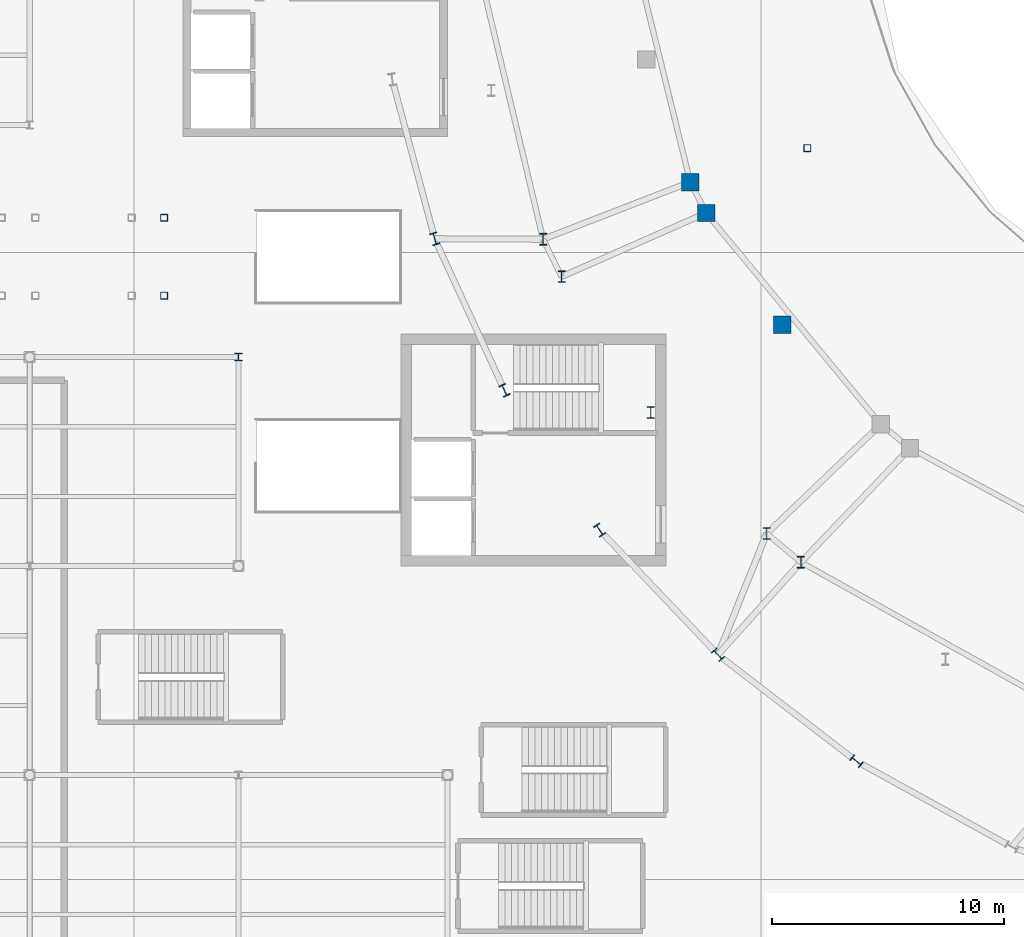
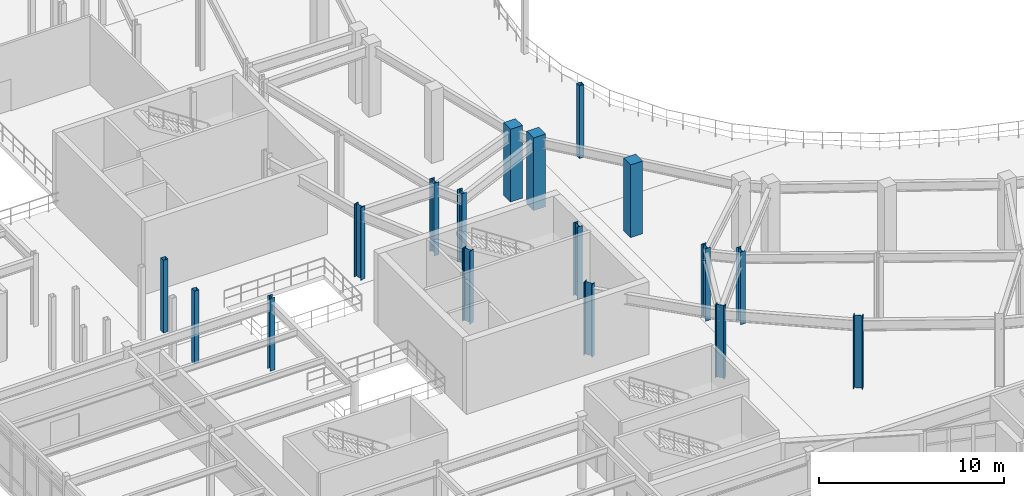
# One storey, part 5 of 86: 17 columns.
"""IFC4 building model written with IfcOpenShell, lengths in metres."""

from ifc_helpers import new_model, si_unit, direction, frame, origin, origin_2d, place, context, subcontext, project, spatial, rectangle, hollow_rectangle, i_section, extrude, material, material_profile, profile_set, type_object, element, save


model = new_model("IFC4")

# Units and contexts
model_context = context("Model", 3, precision=1e-05, world=origin(), true_north=direction((0.0, 1.0)))
body_context = subcontext(model_context, "Body", "Model", "MODEL_VIEW")
ifc_project = project(units=[si_unit("LENGTHUNIT", "METRE"), si_unit("AREAUNIT", "SQUARE_METRE"), si_unit("VOLUMEUNIT", "CUBIC_METRE"), si_unit("PLANEANGLEUNIT", "RADIAN"), si_unit("MASSUNIT", "GRAM", prefix="KILO")], contexts=[model_context])

# Site, building, storey
site_placement = place(None, origin())
site = spatial("IfcSite", under=ifc_project, at=site_placement, CompositionType="ELEMENT")
building_placement = place(site_placement, origin())
building = spatial("IfcBuilding", under=site, at=building_placement, Name="Glasvene Arena", CompositionType="ELEMENT")
storey_placement = place(building_placement, frame((0.0, 0.0, 5.39990234375)))
storey = spatial("IfcBuildingStorey", under=building, at=storey_placement, Name="L01", CompositionType="ELEMENT", Elevation=5.39990234375)

# Columns
ifc_material_1 = material(Name="Concrete C40/50", Category="concrete")
ifc_material_profile_1 = material_profile(ifc_material_1, rectangle(XDim=0.75, YDim=0.75, at=origin_2d()), Name="RC 750x750")
ifc_profile_set_1 = profile_set([ifc_material_profile_1], Name="Concrete C40/50")
column_type_1 = type_object("IfcColumnType", Name="COL-MID-RC750", PredefinedType="COLUMN", material=ifc_profile_set_1)
for number, where, z_axis, x_axis, name in (
    (1, (55.452880859375, 61.53662109375, 0.0), (0.0, 0.0, 1.0), (1.0, 0.0, 0.0), "Mid-bowl fulcrum column L01 09-2"),
    (2, (56.133544921875, 60.20751953125, 0.0), (0.0, 0.0, 1.0), (1.0, 0.0, 0.0), "Mid-bowl fulcrum column L01 10-1"),
    (3, (59.406494140625, 55.388427734375, 0.0), (0.0, 0.0, 1.0), (1.0, 0.0, 0.0), "Mid-sector fulcrum column L01 10"),
):
    element("IfcColumn", number, at=place(storey_placement, frame(where, z_axis=z_axis, x_axis=x_axis)), inside=storey, type_object=column_type_1, Name=name, PredefinedType="COLUMN", context=body_context, shape_type="SweptSolid", body=[
        extrude(rectangle(XDim=0.75, YDim=0.75, at=origin_2d()), origin(), (0.0, 0.0, 1.0), 4.800048828125),
    ])
ifc_material_2 = material(Name="Steel S355J2", Category="steel")
ifc_material_profile_2 = material_profile(ifc_material_2, i_section(OverallWidth=0.305908203125, OverallDepth=0.52392578125, WebThickness=0.02099609375, FlangeThickness=0.0400390625, FilletRadius=0.027099609375, at=origin_2d()), Name="HEM 500")
ifc_profile_set_2 = profile_set([ifc_material_profile_2], Name="Steel S355J2")
column_type_2 = type_object("IfcColumnType", Name="COL-RING-HEM500", PredefinedType="COLUMN", material=ifc_profile_set_2)
for number, where, z_axis, x_axis, name in (
    (4, (44.447265625, 59.09423828125, 0.0), (0.0, 0.0, 1.0), (-0.959805291975, -0.280666708921, 0.0), "Bowl ring column R23 L01"),
    (5, (47.44970703125, 52.5703125, 0.0), (0.0, 0.0, 1.0), (-0.909018020308, -0.416756810089, 0.0), "Bowl ring column R24 L01"),
    (6, (51.54931640625, 46.5498046875, 0.0), (0.0, 0.0, 1.0), (-0.836955398099, -0.547271104292, 0.0), "Bowl ring column R25 L01"),
    (7, (56.644775390625, 41.18017578125, 0.0), (0.0, 0.0, 1.0), (-0.74326159948, -0.669000892928, 0.0), "Bowl ring column R26 L01"),
    (8, (62.610595703125, 36.59423828125, 0.0), (0.0, 0.0, 1.0), (-0.628098877137, -0.778133536444, 0.0), "Bowl ring column R27 L01"),
):
    element("IfcColumn", number, at=place(storey_placement, frame(where, z_axis=z_axis, x_axis=x_axis)), inside=storey, type_object=column_type_2, Name=name, PredefinedType="COLUMN", context=body_context, shape_type="SweptSolid", body=[
        extrude(i_section(OverallWidth=0.305908203125, OverallDepth=0.52392578125, WebThickness=0.02099609375, FlangeThickness=0.0400390625, FilletRadius=0.027099609375, at=origin_2d()), origin(), (0.0, 0.0, 1.0), 4.800048828125),
    ])
ifc_material_profile_3 = material_profile(ifc_material_2, i_section(OverallWidth=0.300048828125, OverallDepth=0.5, WebThickness=0.014404296875, FlangeThickness=0.028076171875, FilletRadius=0.027099609375, at=origin_2d()), Name="HEB 500")
ifc_profile_set_3 = profile_set([ifc_material_profile_3], Name="Steel S355J2")
column_type_3 = type_object("IfcColumnType", Name="COL-W-HEB500", PredefinedType="COLUMN", material=ifc_profile_set_3)
for number, where, z_axis, x_axis, name in (
    (9, (49.113037109375, 59.077392578125, 0.0), (0.0, 0.0, 1.0), (1.0, 0.0, 0.0), "Upper raker rear column L01 09-2"),
    (10, (49.911865234375, 57.46337890625, 0.0), (0.0, 0.0, 1.0), (1.0, 0.0, 0.0), "Upper raker rear column L01 10-1"),
    (11, (58.743408203125, 46.40087890625, 0.0), (0.0, 0.0, 1.0), (1.0, 0.0, 0.0), "Upper raker rear column L01 10-2"),
    (12, (60.219482421875, 45.165771484375, 0.0), (0.0, 0.0, 1.0), (1.0, 0.0, 0.0), "Upper raker rear column L01 11-1"),
    (13, (53.75244140625, 51.610595703125, 0.0), (0.0, 0.0, 1.0), (1.0, 0.0, 0.0), "Mid-sector rear raker column L01 10"),
):
    element("IfcColumn", number, at=place(storey_placement, frame(where, z_axis=z_axis, x_axis=x_axis)), inside=storey, type_object=column_type_3, Name=name, PredefinedType="COLUMN", context=body_context, shape_type="SweptSolid", body=[
        extrude(i_section(OverallWidth=0.300048828125, OverallDepth=0.5, WebThickness=0.014404296875, FlangeThickness=0.028076171875, FilletRadius=0.027099609375, at=origin_2d()), origin(), (0.0, 0.0, 1.0), 4.800048828125),
    ])
ifc_material_profile_4 = material_profile(ifc_material_2, hollow_rectangle(XDim=0.300048828125, YDim=0.300048828125, WallThickness=0.012451171875, at=origin_2d()), Name="SHS 300x300x12.5")
ifc_profile_set_4 = profile_set([ifc_material_profile_4], Name="Steel S355J2")
column_type_4 = type_object("IfcColumnType", Name="COL-W-SHS300", PredefinedType="COLUMN", material=ifc_profile_set_4)
for number, where, z_axis, x_axis, name in (
    (14, (60.5, 63.0, 0.0), (0.0, 0.0, 1.0), (1.0, 0.0, 0.0), "Sector 3-3 support column L01-1"),
    (15, (32.7900390625, 56.64990234375, 0.0), (0.0, 0.0, 1.0), (1.0, 0.0, 0.0), "Vomitory landing column VOM-05 L01"),
    (16, (32.7900390625, 60.0, 0.0), (0.0, 0.0, 1.0), (1.0, 0.0, 0.0), "Vomitory landing column VOM-05 L01"),
):
    element("IfcColumn", number, at=place(storey_placement, frame(where, z_axis=z_axis, x_axis=x_axis)), inside=storey, type_object=column_type_4, Name=name, PredefinedType="COLUMN", context=body_context, shape_type="SweptSolid", body=[
        extrude(hollow_rectangle(XDim=0.300048828125, YDim=0.300048828125, WallThickness=0.012451171875, at=origin_2d()), origin(), (0.0, 0.0, 1.0), 4.800048828125),
    ])
ifc_material_profile_5 = material_profile(ifc_material_2, i_section(OverallWidth=0.30908203125, OverallDepth=0.320556640625, WebThickness=0.013916015625, FlangeThickness=0.021728515625, FilletRadius=0.01513671875, at=origin_2d()), Name="UKC 305x305x137")
ifc_profile_set_5 = profile_set([ifc_material_profile_5], Name="Steel S355J2")
column_type_5 = type_object("IfcColumnType", Name="COL-W-UKC137", PredefinedType="COLUMN", material=ifc_profile_set_5)
column_placement = place(storey_placement, frame((36.0, 54.0, 0.0), z_axis=(0.0, 0.0, 1.0), x_axis=(1.0, 0.0, 0.0)))
element("IfcColumn", 17, at=column_placement, inside=storey, type_object=column_type_5, Name="Grid column 5-7 L01", PredefinedType="COLUMN", context=body_context, shape_type="SweptSolid", body=[
    extrude(i_section(OverallWidth=0.30908203125, OverallDepth=0.320556640625, WebThickness=0.013916015625, FlangeThickness=0.021728515625, FilletRadius=0.01513671875, at=origin_2d()), origin(), (0.0, 0.0, 1.0), 4.800048828125),
])

save(model, "model.ifc")
